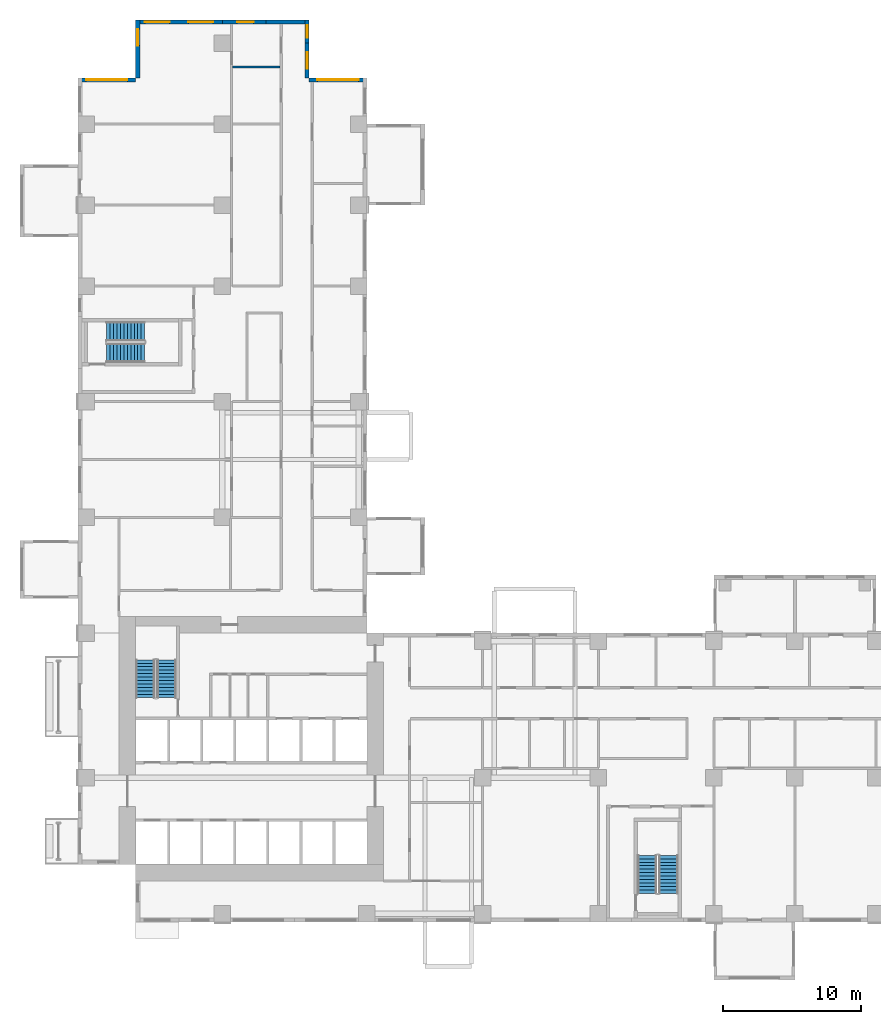
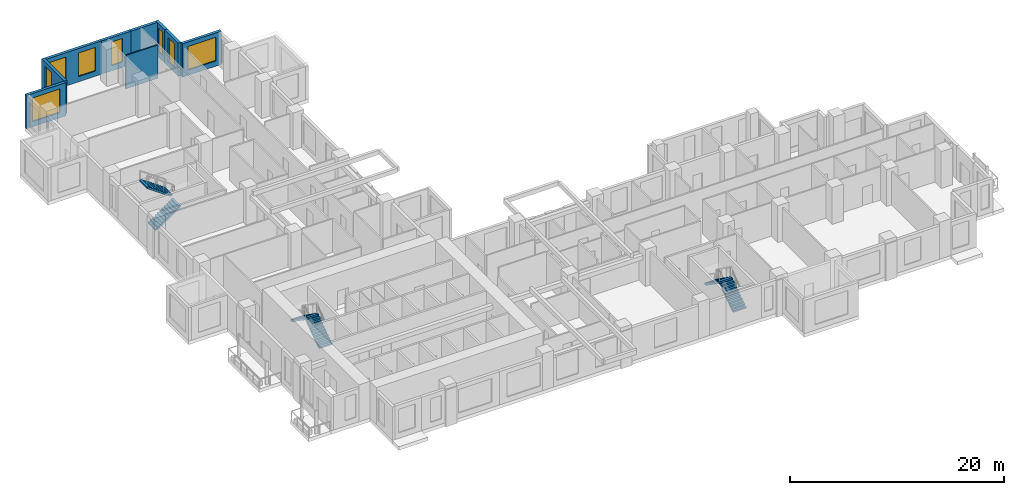
# One storey, part 10 of 15: 9 walls, 8 windows, 6 stair flights, 8 openings, 3 elements without a shape of their own.
"""IFC4 building model written with IfcOpenShell, lengths in metres."""

from ifc_helpers import new_model, si_unit, direction, frame, frame_2d, origin, place, context, subcontext, project, spatial, polyline, rectangle, outline, extrude, source, transform, mapped, material, layer, layer_set, type_object, element, fill, aggregate, save


model = new_model("IFC4")

# Units and contexts
model_context = context("Model", 3, precision=1e-05, world=origin(), true_north=direction((0.0, 1.0)))
body_context = subcontext(model_context, "Body", "Model", "MODEL_VIEW")
ifc_project = project(units=[si_unit("LENGTHUNIT", "METRE"), si_unit("AREAUNIT", "SQUARE_METRE"), si_unit("VOLUMEUNIT", "CUBIC_METRE"), si_unit("PLANEANGLEUNIT", "RADIAN"), si_unit("MASSUNIT", "GRAM", prefix="KILO")], contexts=[model_context])

# Site, building, storey
site_placement = place(None, origin())
site = spatial("IfcSite", under=ifc_project, at=site_placement, CompositionType="ELEMENT")
building_placement = place(site_placement, origin())
building = spatial("IfcBuilding", under=site, at=building_placement, Name="Aurelian Terraces", CompositionType="ELEMENT")
storey_placement = place(building_placement, frame((0.0, 0.0, 61.5)))
storey = spatial("IfcBuildingStorey", under=building, at=storey_placement, Name="L12", CompositionType="ELEMENT", Elevation=61.5)

# Wall
ifc_material_1 = material(Name="Terracotta rainscreen cladding", Category="masonry")
ifc_layer_1 = layer(ifc_material_1, 0.3)
ifc_layer_set_1 = layer_set([ifc_layer_1], Name="EW-300")
wall_type_1 = type_object("IfcWallType", Name="EW-300", PredefinedType="STANDARD", material=ifc_layer_set_1)
shared_shape_1 = source(origin(), body_context, "Body", "SweptSolid", [
    extrude(rectangle(XDim=3.15, YDim=0.3, at=frame_2d((1.575, 0.0))), origin(), (0.0, 0.0, 1.0), 3.8),
])
wall_1_placement = place(storey_placement, frame((16.8, 65.37, 0.0), z_axis=(0.0, 0.0, 1.0), x_axis=(-1.0, 0.0, 0.0)))
element("IfcWall", 1, at=wall_1_placement, inside=storey, type_object=wall_type_1, Name="External wall L12 F11.33", PredefinedType="STANDARD", context=body_context, shape_type="MappedRepresentation", body=[
    mapped(shared_shape_1, transform((0.0, 0.0, 0.0), scale=1.0)),
])

# Wall, opening, window
wall_2_placement = place(storey_placement, frame((13.65, 65.37, 0.0), z_axis=(0.0, 0.0, 1.0), x_axis=(-1.0, 0.0, 0.0)))
wall_2 = element("IfcWall", 2, at=wall_2_placement, inside=storey, type_object=wall_type_1, Name="External wall L12 F11.34", PredefinedType="STANDARD", context=body_context, shape_type="MappedRepresentation", body=[
    mapped(shared_shape_1, transform((0.0, 0.0, 0.0), scale=1.0)),
])
shared_shape_2 = source(origin(), body_context, "Body", "SweptSolid", [
    extrude(rectangle(XDim=1.2, YDim=2.7, at=frame_2d((0.6, 1.35))), frame((0.0, 0.16, 0.0), z_axis=(0.0, -1.0, 0.0), x_axis=(1.0, 0.0, 0.0)), (0.0, 0.0, 1.0), 0.32),
])
opening_1_placement = place(wall_2_placement, frame((0.8875, 0.0, 0.6)))
opening_1 = element("IfcOpeningElement", 3, at=opening_1_placement, cuts=wall_2, Name="Opening W1227", PredefinedType="OPENING", context=body_context, shape_type="MappedRepresentation", body=[
    mapped(shared_shape_2, transform((0.0, 0.0, 0.0), scale=1.0)),
])
ifc_material_2 = material(Name="Clear glazing", Category="glass")
window_type_1 = type_object("IfcWindowType", Name="W-1200x2700", PartitioningType="SINGLE_PANEL", PredefinedType="WINDOW", material=ifc_material_2)
shared_shape_3 = source(origin(), body_context, "Body", "SweptSolid", [
    extrude(rectangle(XDim=1.2, YDim=2.7, at=frame_2d((0.6, 1.35))), frame((0.0, 0.03, 0.0), z_axis=(0.0, -1.0, 0.0), x_axis=(1.0, 0.0, 0.0)), (0.0, 0.0, 1.0), 0.06),
])
window_1_placement = place(opening_1_placement, origin())
window_1 = element("IfcWindow", 4, at=window_1_placement, inside=storey, type_object=window_type_1, Name="Window L12 L12-F11-34-0", OverallHeight=2.7, OverallWidth=1.2, PartitioningType="SINGLE_PANEL", PredefinedType="WINDOW", context=body_context, shape_type="MappedRepresentation", body=[
    mapped(shared_shape_3, transform((0.0, 0.0, 0.0), scale=1.0)),
])
fill(opening_1, window_1)

shared_shape_4 = source(origin(), body_context, "Body", "SweptSolid", [
    extrude(rectangle(XDim=4.2, YDim=0.3, at=frame_2d((2.1, 0.0))), origin(), (0.0, 0.0, 1.0), 3.8),
])
wall_3_placement = place(storey_placement, frame((21.0, 61.17, 0.0), z_axis=(0.0, 0.0, 1.0), x_axis=(-1.0, 0.0, 0.0)))
wall_3 = element("IfcWall", 5, at=wall_3_placement, inside=storey, type_object=wall_type_1, Name="External wall L12 F09.30", PredefinedType="STANDARD", context=body_context, shape_type="MappedRepresentation", body=[
    mapped(shared_shape_4, transform((0.0, 0.0, 0.0), scale=1.0)),
])
shared_shape_5 = source(origin(), body_context, "Body", "SweptSolid", [
    extrude(rectangle(XDim=3.0, YDim=2.7, at=frame_2d((1.5, 1.35))), frame((0.0, 0.16, 0.0), z_axis=(0.0, -1.0, 0.0), x_axis=(1.0, 0.0, 0.0)), (0.0, 0.0, 1.0), 0.32),
])
opening_2_placement = place(wall_3_placement, frame((0.6, 0.0, 0.6)))
opening_2 = element("IfcOpeningElement", 6, at=opening_2_placement, cuts=wall_3, Name="Opening W3027", PredefinedType="OPENING", context=body_context, shape_type="MappedRepresentation", body=[
    mapped(shared_shape_5, transform((0.0, 0.0, 0.0), scale=1.0)),
])
window_type_2 = type_object("IfcWindowType", Name="W-3000x2700", PartitioningType="SINGLE_PANEL", PredefinedType="WINDOW", material=ifc_material_2)
shared_shape_6 = source(origin(), body_context, "Body", "SweptSolid", [
    extrude(rectangle(XDim=3.0, YDim=2.7, at=frame_2d((1.5, 1.35))), frame((0.0, 0.03, 0.0), z_axis=(0.0, -1.0, 0.0), x_axis=(1.0, 0.0, 0.0)), (0.0, 0.0, 1.0), 0.06),
])
window_2_placement = place(opening_2_placement, origin())
window_2 = element("IfcWindow", 7, at=window_2_placement, inside=storey, type_object=window_type_2, Name="Window L12 L12-F09-30-0", OverallHeight=2.7, OverallWidth=3.0, PartitioningType="SINGLE_PANEL", PredefinedType="WINDOW", context=body_context, shape_type="MappedRepresentation", body=[
    mapped(shared_shape_6, transform((0.0, 0.0, 0.0), scale=1.0)),
])
fill(opening_2, window_2)

wall_4_placement = place(storey_placement, frame((4.35, 65.52, 0.0), z_axis=(0.0, 0.0, 1.0), x_axis=(0.0, -1.0, 0.0)))
wall_4 = element("IfcWall", 8, at=wall_4_placement, inside=storey, type_object=wall_type_1, Name="External wall L12 F12.36", PredefinedType="STANDARD", context=body_context, shape_type="MappedRepresentation", body=[
    mapped(shared_shape_4, transform((0.0, 0.0, 0.0), scale=1.0)),
])
opening_3_placement = place(wall_4_placement, frame((0.66, 0.0, 0.6)))
opening_3 = element("IfcOpeningElement", 9, at=opening_3_placement, cuts=wall_4, Name="Opening W1227", PredefinedType="OPENING", context=body_context, shape_type="MappedRepresentation", body=[
    mapped(shared_shape_2, transform((0.0, 0.0, 0.0), scale=1.0)),
])
window_3_placement = place(opening_3_placement, origin())
window_3 = element("IfcWindow", 10, at=window_3_placement, inside=storey, type_object=window_type_1, Name="Window L12 L12-F12-36-0", OverallHeight=2.7, OverallWidth=1.2, PartitioningType="SINGLE_PANEL", PredefinedType="WINDOW", context=body_context, shape_type="MappedRepresentation", body=[
    mapped(shared_shape_3, transform((0.0, 0.0, 0.0), scale=1.0)),
])
fill(opening_3, window_3)

wall_5_placement = place(storey_placement, frame((4.2, 61.17, 0.0), z_axis=(0.0, 0.0, 1.0), x_axis=(-1.0, 0.0, 0.0)))
wall_5 = element("IfcWall", 11, at=wall_5_placement, inside=storey, type_object=wall_type_1, Name="External wall L12 F13.37", PredefinedType="STANDARD", context=body_context, shape_type="MappedRepresentation", body=[
    mapped(shared_shape_4, transform((0.0, 0.0, 0.0), scale=1.0)),
])
opening_4_placement = place(wall_5_placement, frame((0.6, 0.0, 0.6)))
opening_4 = element("IfcOpeningElement", 12, at=opening_4_placement, cuts=wall_5, Name="Opening W3027", PredefinedType="OPENING", context=body_context, shape_type="MappedRepresentation", body=[
    mapped(shared_shape_5, transform((0.0, 0.0, 0.0), scale=1.0)),
])
window_4_placement = place(opening_4_placement, origin())
window_4 = element("IfcWindow", 13, at=window_4_placement, inside=storey, type_object=window_type_2, Name="Window L12 L12-F13-37-0", OverallHeight=2.7, OverallWidth=3.0, PartitioningType="SINGLE_PANEL", PredefinedType="WINDOW", context=body_context, shape_type="MappedRepresentation", body=[
    mapped(shared_shape_6, transform((0.0, 0.0, 0.0), scale=1.0)),
])
fill(opening_4, window_4)

shared_shape_7 = source(origin(), body_context, "Body", "SweptSolid", [
    extrude(rectangle(XDim=2.52, YDim=0.3, at=frame_2d((1.26, 0.0))), origin(), (0.0, 0.0, 1.0), 3.8),
])
wall_6_placement = place(storey_placement, frame((16.65, 61.32, 0.0), z_axis=(0.0, 0.0, 1.0), x_axis=(0.0, 1.0, 0.0)))
wall_6 = element("IfcWall", 14, at=wall_6_placement, inside=storey, type_object=wall_type_1, Name="External wall L12 F10.31", PredefinedType="STANDARD", context=body_context, shape_type="MappedRepresentation", body=[
    mapped(shared_shape_7, transform((0.0, 0.0, 0.0), scale=1.0)),
])
opening_5_placement = place(wall_6_placement, frame((0.66, 0.0, 0.6)))
opening_5 = element("IfcOpeningElement", 15, at=opening_5_placement, cuts=wall_6, Name="Opening W1227", PredefinedType="OPENING", context=body_context, shape_type="MappedRepresentation", body=[
    mapped(shared_shape_2, transform((0.0, 0.0, 0.0), scale=1.0)),
])
window_5_placement = place(opening_5_placement, origin())
window_5 = element("IfcWindow", 16, at=window_5_placement, inside=storey, type_object=window_type_1, Name="Window L12 L12-F10-31-0", OverallHeight=2.7, OverallWidth=1.2, PartitioningType="SINGLE_PANEL", PredefinedType="WINDOW", context=body_context, shape_type="MappedRepresentation", body=[
    mapped(shared_shape_3, transform((0.0, 0.0, 0.0), scale=1.0)),
])
fill(opening_5, window_5)

shared_shape_8 = source(origin(), body_context, "Body", "SweptSolid", [
    extrude(rectangle(XDim=1.68, YDim=0.3, at=frame_2d((0.84, 0.0))), origin(), (0.0, 0.0, 1.0), 3.8),
])
wall_7_placement = place(storey_placement, frame((16.65, 63.84, 0.0), z_axis=(0.0, 0.0, 1.0), x_axis=(0.0, 1.0, 0.0)))
wall_7 = element("IfcWall", 17, at=wall_7_placement, inside=storey, type_object=wall_type_1, Name="External wall L12 F10.32", PredefinedType="STANDARD", context=body_context, shape_type="MappedRepresentation", body=[
    mapped(shared_shape_8, transform((0.0, 0.0, 0.0), scale=1.0)),
])
shared_shape_9 = source(origin(), body_context, "Body", "SweptSolid", [
    extrude(rectangle(XDim=0.9, YDim=2.7, at=frame_2d((0.45, 1.35))), frame((0.0, 0.16, 0.0), z_axis=(0.0, -1.0, 0.0), x_axis=(1.0, 0.0, 0.0)), (0.0, 0.0, 1.0), 0.32),
])
opening_6_placement = place(wall_7_placement, frame((0.39, 0.0, 0.6)))
opening_6 = element("IfcOpeningElement", 18, at=opening_6_placement, cuts=wall_7, Name="Opening W0927", PredefinedType="OPENING", context=body_context, shape_type="MappedRepresentation", body=[
    mapped(shared_shape_9, transform((0.0, 0.0, 0.0), scale=1.0)),
])
window_type_3 = type_object("IfcWindowType", Name="W-900x2700", PartitioningType="SINGLE_PANEL", PredefinedType="WINDOW", material=ifc_material_2)
shared_shape_10 = source(origin(), body_context, "Body", "SweptSolid", [
    extrude(rectangle(XDim=0.9, YDim=2.7, at=frame_2d((0.45, 1.35))), frame((0.0, 0.03, 0.0), z_axis=(0.0, -1.0, 0.0), x_axis=(1.0, 0.0, 0.0)), (0.0, 0.0, 1.0), 0.06),
])
window_6_placement = place(opening_6_placement, origin())
window_6 = element("IfcWindow", 19, at=window_6_placement, inside=storey, type_object=window_type_3, Name="Window L12 L12-F10-32-P0", OverallHeight=2.7, OverallWidth=0.9, PartitioningType="SINGLE_PANEL", PredefinedType="WINDOW", context=body_context, shape_type="MappedRepresentation", body=[
    mapped(shared_shape_10, transform((0.0, 0.0, 0.0), scale=1.0)),
])
fill(opening_6, window_6)

# Wall, openings, windows
shared_shape_11 = source(origin(), body_context, "Body", "SweptSolid", [
    extrude(rectangle(XDim=6.3, YDim=0.3, at=frame_2d((3.15, 0.0))), origin(), (0.0, 0.0, 1.0), 3.8),
])
wall_8_placement = place(storey_placement, frame((10.5, 65.37, 0.0), z_axis=(0.0, 0.0, 1.0), x_axis=(-1.0, 0.0, 0.0)))
wall_8 = element("IfcWall", 20, at=wall_8_placement, inside=storey, type_object=wall_type_1, Name="External wall L12 F11.35", PredefinedType="STANDARD", context=body_context, shape_type="MappedRepresentation", body=[
    mapped(shared_shape_11, transform((0.0, 0.0, 0.0), scale=1.0)),
])
shared_shape_12 = source(origin(), body_context, "Body", "SweptSolid", [
    extrude(rectangle(XDim=1.8, YDim=2.7, at=frame_2d((0.9, 1.35))), frame((0.0, 0.16, 0.0), z_axis=(0.0, -1.0, 0.0), x_axis=(1.0, 0.0, 0.0)), (0.0, 0.0, 1.0), 0.32),
])
opening_7_placement = place(wall_8_placement, frame((0.675, 0.0, 0.6)))
opening_7 = element("IfcOpeningElement", 21, at=opening_7_placement, cuts=wall_8, Name="Opening W1827", PredefinedType="OPENING", context=body_context, shape_type="MappedRepresentation", body=[
    mapped(shared_shape_12, transform((0.0, 0.0, 0.0), scale=1.0)),
])
opening_8_placement = place(wall_8_placement, frame((3.825, 0.0, 0.6)))
opening_8 = element("IfcOpeningElement", 22, at=opening_8_placement, cuts=wall_8, Name="Opening W1827", PredefinedType="OPENING", context=body_context, shape_type="MappedRepresentation", body=[
    mapped(shared_shape_12, transform((0.0, 0.0, 0.0), scale=1.0)),
])
window_type_4 = type_object("IfcWindowType", Name="W-1800x2700", PartitioningType="SINGLE_PANEL", PredefinedType="WINDOW", material=ifc_material_2)
shared_shape_13 = source(origin(), body_context, "Body", "SweptSolid", [
    extrude(rectangle(XDim=1.8, YDim=2.7, at=frame_2d((0.9, 1.35))), frame((0.0, 0.03, 0.0), z_axis=(0.0, -1.0, 0.0), x_axis=(1.0, 0.0, 0.0)), (0.0, 0.0, 1.0), 0.06),
])
window_7_placement = place(opening_7_placement, origin())
window_7 = element("IfcWindow", 23, at=window_7_placement, inside=storey, type_object=window_type_4, Name="Window L12 L12-F11-35-0", OverallHeight=2.7, OverallWidth=1.8, PartitioningType="SINGLE_PANEL", PredefinedType="WINDOW", context=body_context, shape_type="MappedRepresentation", body=[
    mapped(shared_shape_13, transform((0.0, 0.0, 0.0), scale=1.0)),
])
fill(opening_7, window_7)
window_8_placement = place(opening_8_placement, origin())
window_8 = element("IfcWindow", 24, at=window_8_placement, inside=storey, type_object=window_type_4, Name="Window L12 L12-F11-35-1", OverallHeight=2.7, OverallWidth=1.8, PartitioningType="SINGLE_PANEL", PredefinedType="WINDOW", context=body_context, shape_type="MappedRepresentation", body=[
    mapped(shared_shape_13, transform((0.0, 0.0, 0.0), scale=1.0)),
])
fill(opening_8, window_8)

# Wall
ifc_material_3 = material(Name="Gypsum board on steel studs", Category="steel")
ifc_layer_2 = layer(ifc_material_3, 0.15)
ifc_layer_set_2 = layer_set([ifc_layer_2], Name="Partition 150")
wall_type_2 = type_object("IfcWallType", Name="Partition 150", PredefinedType="PARTITIONING", material=ifc_layer_set_2)
shared_shape_14 = source(origin(), body_context, "Body", "SweptSolid", [
    extrude(rectangle(XDim=3.45, YDim=0.15, at=frame_2d((1.725, 0.0))), origin(), (0.0, 0.0, 1.0), 3.8),
])
wall_9_placement = place(storey_placement, frame((14.7, 62.0935, 0.0), z_axis=(0.0, 0.0, 1.0), x_axis=(-1.0, 0.0, 0.0)))
element("IfcWall", 25, at=wall_9_placement, inside=storey, type_object=wall_type_2, Name="Partition", PredefinedType="PARTITIONING", context=body_context, shape_type="MappedRepresentation", body=[
    mapped(shared_shape_14, transform((0.0, 0.0, 0.0), scale=1.0)),
])

# Stair, stair flights
ifc_material_4 = material(Name="Concrete fc' 40 MPa", Category="concrete")
stair_type = type_object("IfcStairType", Name="Stair 1400", PredefinedType="HALF_TURN_STAIR", material=ifc_material_4)
stair_1_placement = place(storey_placement, origin())
stair_1 = element("IfcStair", 26, at=stair_1_placement, inside=storey, type_object=stair_type, Name="L12 S1", PredefinedType="HALF_TURN_STAIR")
stair_flight_type = type_object("IfcStairFlightType", Name="Stair flight 1400", PredefinedType="STRAIGHT", material=ifc_material_4)
shared_shape_15 = source(origin(), body_context, "Body", "SweptSolid", [
    extrude(outline(polyline([(0.0, 0.0), (0.0, 0.175), (0.25, 0.175), (0.25, 0.35), (0.5, 0.35), (0.5, 0.525), (0.75, 0.525), (0.75, 0.7), (1.0, 0.7), (1.0, 0.875), (1.25, 0.875), (1.25, 1.05), (1.5, 1.05), (1.5, 1.225), (1.75, 1.225), (1.75, 1.4), (2.0, 1.4), (2.0, 1.575), (2.25, 1.575), (2.25, 1.75), (2.5, 1.75), (2.5, 1.925), (2.75, 1.925), (2.75, 2.1), (2.75, 1.7419), (0.2616, 0.0), (0.0, 0.0)])), frame((0.0, 0.7, 0.0), z_axis=(0.0, -1.0, 0.0), x_axis=(1.0, 0.0, 0.0)), (0.0, 0.0, 1.0), 1.4),
])
stair_flight_1_placement = place(storey_placement, frame((6.45, 16.3, 2e-08), z_axis=(0.0, 0.0, 1.0), x_axis=(0.0, 1.0, 0.0)))
stair_flight_1 = element("IfcStairFlight", 27, at=stair_flight_1_placement, type_object=stair_flight_type, Name="S1 flight 1", NumberOfRisers=12, NumberOfTreads=11, PredefinedType="STRAIGHT", RiserHeight=0.175, TreadLength=0.25, context=body_context, shape_type="MappedRepresentation", body=[
    mapped(shared_shape_15, transform((0.0, 0.0, 0.0), scale=1.0)),
])
stair_flight_2_placement = place(storey_placement, frame((4.9, 19.05, 2.1000000200000013), z_axis=(0.0, 0.0, 1.0), x_axis=(0.0, -1.0, 0.0)))
stair_flight_2 = element("IfcStairFlight", 28, at=stair_flight_2_placement, type_object=stair_flight_type, Name="S1 flight 2", NumberOfRisers=12, NumberOfTreads=11, PredefinedType="STRAIGHT", RiserHeight=0.175, TreadLength=0.25, context=body_context, shape_type="MappedRepresentation", body=[
    mapped(shared_shape_15, transform((0.0, 0.0, 0.0), scale=1.0)),
])
aggregate(stair_1, [stair_flight_1, stair_flight_2])

stair_2_placement = place(storey_placement, origin())
stair_2 = element("IfcStair", 29, at=stair_2_placement, inside=storey, type_object=stair_type, Name="L12 S2", PredefinedType="HALF_TURN_STAIR")
stair_flight_3_placement = place(storey_placement, frame((42.9, 2.1, 2e-08), z_axis=(0.0, 0.0, 1.0), x_axis=(0.0, 1.0, 0.0)))
stair_flight_3 = element("IfcStairFlight", 30, at=stair_flight_3_placement, type_object=stair_flight_type, Name="S2 flight 1", NumberOfRisers=12, NumberOfTreads=11, PredefinedType="STRAIGHT", RiserHeight=0.175, TreadLength=0.25, context=body_context, shape_type="MappedRepresentation", body=[
    mapped(shared_shape_15, transform((0.0, 0.0, 0.0), scale=1.0)),
])
stair_flight_4_placement = place(storey_placement, frame((41.35, 4.85, 2.1000000200000013), z_axis=(0.0, 0.0, 1.0), x_axis=(0.0, -1.0, 0.0)))
stair_flight_4 = element("IfcStairFlight", 31, at=stair_flight_4_placement, type_object=stair_flight_type, Name="S2 flight 2", NumberOfRisers=12, NumberOfTreads=11, PredefinedType="STRAIGHT", RiserHeight=0.175, TreadLength=0.25, context=body_context, shape_type="MappedRepresentation", body=[
    mapped(shared_shape_15, transform((0.0, 0.0, 0.0), scale=1.0)),
])
aggregate(stair_2, [stair_flight_3, stair_flight_4])

stair_3_placement = place(storey_placement, origin())
stair_3 = element("IfcStair", 32, at=stair_3_placement, inside=storey, type_object=stair_type, Name="L12 S3", PredefinedType="HALF_TURN_STAIR")
stair_flight_5_placement = place(storey_placement, frame((2.1, 41.35, 2e-08), z_axis=(0.0, 0.0, 1.0), x_axis=(1.0, 0.0, 0.0)))
stair_flight_5 = element("IfcStairFlight", 33, at=stair_flight_5_placement, type_object=stair_flight_type, Name="S3 flight 1", NumberOfRisers=12, NumberOfTreads=11, PredefinedType="STRAIGHT", RiserHeight=0.175, TreadLength=0.25, context=body_context, shape_type="MappedRepresentation", body=[
    mapped(shared_shape_15, transform((0.0, 0.0, 0.0), scale=1.0)),
])
stair_flight_6_placement = place(storey_placement, frame((4.85, 42.9, 2.1000000200000013), z_axis=(0.0, 0.0, 1.0), x_axis=(-1.0, 0.0, 0.0)))
stair_flight_6 = element("IfcStairFlight", 34, at=stair_flight_6_placement, type_object=stair_flight_type, Name="S3 flight 2", NumberOfRisers=12, NumberOfTreads=11, PredefinedType="STRAIGHT", RiserHeight=0.175, TreadLength=0.25, context=body_context, shape_type="MappedRepresentation", body=[
    mapped(shared_shape_15, transform((0.0, 0.0, 0.0), scale=1.0)),
])
aggregate(stair_3, [stair_flight_5, stair_flight_6])

save(model, "model.ifc")
